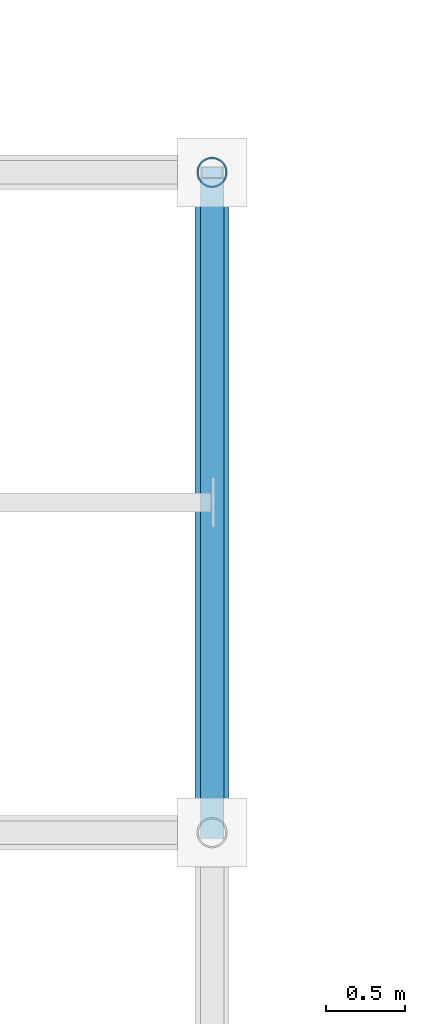
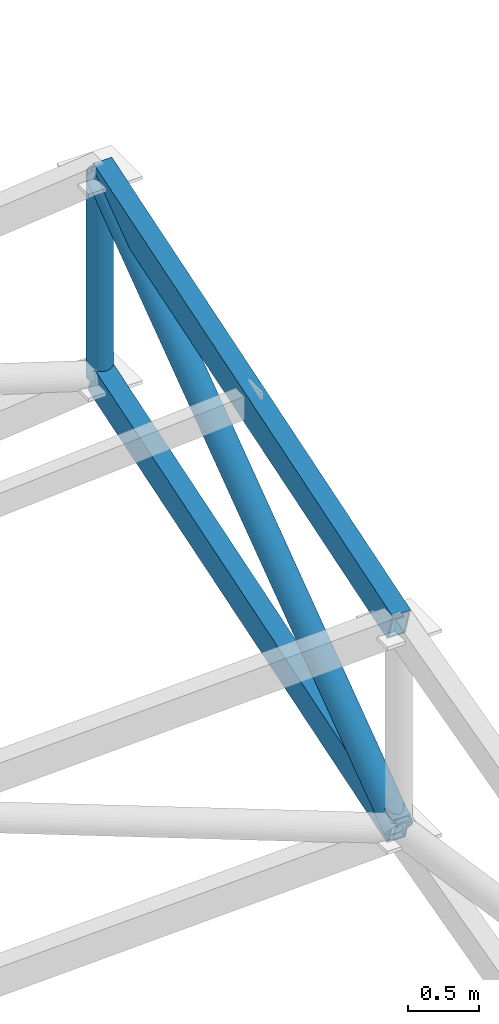
# One storey, part 37 of 132: 4 members.
"""IFC4 building model written with IfcOpenShell, lengths in metres."""

from ifc_helpers import new_model, si_unit, direction, frame, origin, origin_2d, place, context, subcontext, project, spatial, hollow_rectangle, hollow_circle, extrude, material, material_profile, profile_set, type_object, element, save


model = new_model("IFC4")

# Units and contexts
model_context = context("Model", 3, precision=1e-05, world=origin(), true_north=direction((0.0, 1.0)))
body_context = subcontext(model_context, "Body", "Model", "MODEL_VIEW")
ifc_project = project(units=[si_unit("LENGTHUNIT", "METRE"), si_unit("AREAUNIT", "SQUARE_METRE"), si_unit("VOLUMEUNIT", "CUBIC_METRE"), si_unit("PLANEANGLEUNIT", "RADIAN"), si_unit("MASSUNIT", "GRAM", prefix="KILO")], contexts=[model_context])

# Site, building, storey
site_placement = place(None, origin())
site = spatial("IfcSite", under=ifc_project, at=site_placement, CompositionType="ELEMENT")
building_placement = place(site_placement, origin())
building = spatial("IfcBuilding", under=site, at=building_placement, Name="Cumbredor Promenade Congress Hotel", CompositionType="ELEMENT")
storey_placement = place(building_placement, frame((0.0, 0.0, 7.56005859375)))
storey = spatial("IfcBuildingStorey", under=building, at=storey_placement, Name="L02", CompositionType="ELEMENT", Elevation=7.56005859375)

# Members
ifc_material = material(Name="Steel ASTM A500 Grade C", Category="steel")
ifc_material_profile_1 = material_profile(ifc_material, hollow_rectangle(XDim=0.14990234375, YDim=0.25, WallThickness=0.012451171875, at=origin_2d()), Name="HSS 250x150x12.5")
ifc_profile_set_1 = profile_set([ifc_material_profile_1], Name="Steel ASTM A500 Grade C")
member_type_1 = type_object("IfcMemberType", Name="Spa Roof Space Frame Chord", PredefinedType="CHORD", material=ifc_profile_set_1)
for number, where, z_axis, x_axis, name in (
    (1, (113.39990234375, 50.39990234375, 6.414794921875), (0.0, 0.953021764697, 0.302901825701), (-1.0, 0.0, 0.0), "Thermal Spa and Hydrotherapy Pavilion Y Top Chord 11.13"),
    (2, (113.39990234375, 50.39990234375, 4.664794921875), (0.0, 0.953021764697, 0.302901825701), (-1.0, 0.0, 0.0), "Thermal Spa and Hydrotherapy Pavilion Y Bottom Chord 11.13"),
):
    element("IfcMember", number, at=place(storey_placement, frame(where, z_axis=z_axis, x_axis=x_axis)), inside=storey, type_object=member_type_1, Name=name, PredefinedType="CHORD", context=body_context, shape_type="SweptSolid", body=[
        extrude(hollow_rectangle(XDim=0.14990234375, YDim=0.25, WallThickness=0.012451171875, at=origin_2d()), origin(), (0.0, 0.0, 1.0), 4.4072265625),
    ])
ifc_material_profile_2 = material_profile(ifc_material, hollow_circle(Radius=0.109619140625, WallThickness=0.012451171875, at=origin_2d()), Name="CHS 219.1x12.5")
ifc_profile_set_2 = profile_set([ifc_material_profile_2], Name="Steel ASTM A500 Grade C")
member_type_2 = type_object("IfcMemberType", Name="Space Frame Web Diagonal D1", PredefinedType="BRACE", material=ifc_profile_set_2)
member_1_placement = place(storey_placement, frame((113.39990234375, 50.39990234375, 4.664794921875), z_axis=(0.0, 0.805963918103, 0.591964663401), x_axis=(-1.0, 0.0, 0.0)))
element("IfcMember", 3, at=member_1_placement, inside=storey, type_object=member_type_2, Name="Thermal Spa and Hydrotherapy Pavilion Y Web Diagonal 11.13", PredefinedType="BRACE", context=body_context, shape_type="SweptSolid", body=[
    extrude(hollow_circle(Radius=0.109619140625, WallThickness=0.012451171875, at=origin_2d()), origin(), (0.0, 0.0, 1.0), 5.21142578125),
])
ifc_material_profile_3 = material_profile(ifc_material, hollow_circle(Radius=0.096923828125, WallThickness=0.010009765625, at=origin_2d()), Name="CHS 193.7x10")
ifc_profile_set_3 = profile_set([ifc_material_profile_3], Name="Steel ASTM A500 Grade C")
member_type_3 = type_object("IfcMemberType", Name="Space Frame Web Post P1", PredefinedType="BRACE", material=ifc_profile_set_3)
member_2_placement = place(storey_placement, frame((113.39990234375, 54.60009765625, 5.999755859375), z_axis=(0.0, 0.0, 1.0), x_axis=(1.0, 0.0, 0.0)))
element("IfcMember", 4, at=member_2_placement, inside=storey, type_object=member_type_3, Name="Thermal Spa and Hydrotherapy Pavilion Space Frame Web Post 11.14", PredefinedType="BRACE", context=body_context, shape_type="SweptSolid", body=[
    extrude(hollow_circle(Radius=0.096923828125, WallThickness=0.010009765625, at=origin_2d()), origin(), (0.0, 0.0, 1.0), 1.75),
])

save(model, "model.ifc")
